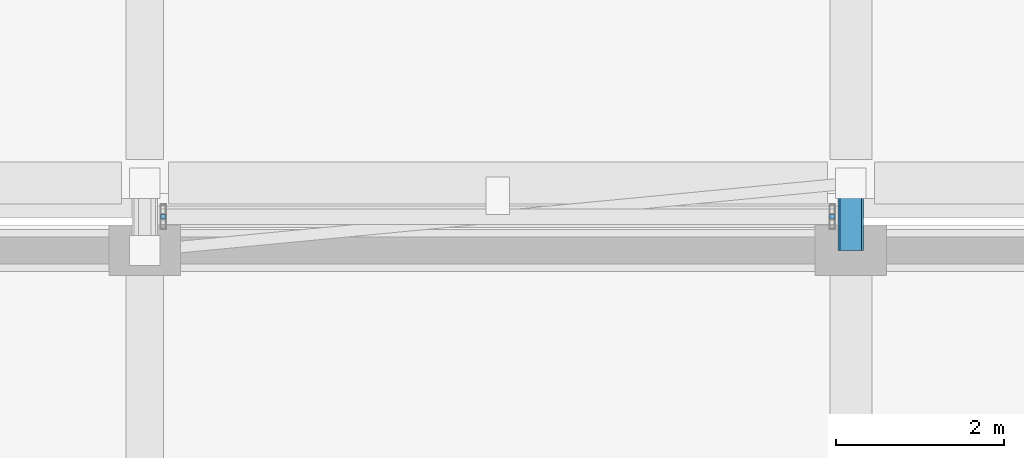
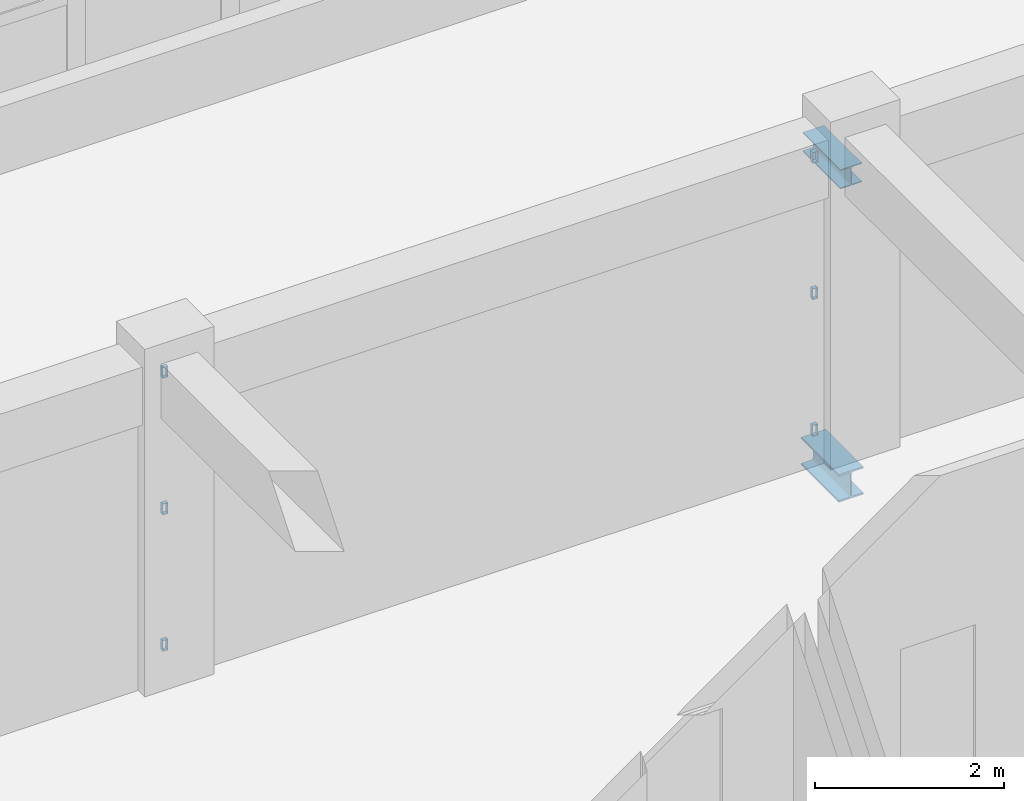
# One storey, part 73 of 129: 6 members, 2 beams, 2 elements without a shape of their own.
"""IFC4 building model written with IfcOpenShell, lengths in metres."""

from ifc_helpers import new_model, si_unit, direction, frame, origin, origin_2d, place, context, subcontext, project, spatial, hollow_rectangle, i_section, extrude, material, layer, layer_set, material_profile, profile_set, type_object, element, aggregate, save


model = new_model("IFC4")

# Units and contexts
model_context = context("Model", 3, precision=1e-05, world=origin(), true_north=direction((0.0, 1.0)))
body_context = subcontext(model_context, "Body", "Model", "MODEL_VIEW")
ifc_project = project(units=[si_unit("LENGTHUNIT", "METRE"), si_unit("AREAUNIT", "SQUARE_METRE"), si_unit("VOLUMEUNIT", "CUBIC_METRE"), si_unit("PLANEANGLEUNIT", "RADIAN"), si_unit("MASSUNIT", "GRAM", prefix="KILO")], contexts=[model_context])

# Site, building, storey
site_placement = place(None, origin())
site = spatial("IfcSite", under=ifc_project, at=site_placement, CompositionType="ELEMENT")
building_placement = place(site_placement, origin())
building = spatial("IfcBuilding", under=site, at=building_placement, Name="Xazarin Passage Department Store", CompositionType="ELEMENT")
storey_placement = place(building_placement, frame((0.0, 0.0, 9.89990234375)))
storey = spatial("IfcBuildingStorey", under=building, at=storey_placement, Name="L02", CompositionType="ELEMENT", Elevation=9.89990234375)

# Curtain wall, members
ifc_material_1 = material(Name="Bronze anodised aluminium", Category="aluminium")
ifc_layer = layer(ifc_material_1, 0.14990234375)
ifc_layer_set = layer_set([ifc_layer], Name="Bronze anodised aluminium")
curtain_wall_type = type_object("IfcCurtainWallType", Name="ARC-CW-BRG1", PredefinedType="NOTDEFINED", material=ifc_layer_set)
curtain_wall_1_placement = place(storey_placement, origin())
curtain_wall_1 = element("IfcCurtainWall", 1, at=curtain_wall_1_placement, inside=storey, type_object=curtain_wall_type, Name="L02 BR-V1-V3 Bridge Curtain Wall 1", PredefinedType="NOTDEFINED")
ifc_material_profile_1 = material_profile(ifc_material_1, hollow_rectangle(XDim=0.06494140625, YDim=0.139892578125, WallThickness=0.00390625, at=origin_2d()), Name="ALU 65x140")
ifc_profile_set_1 = profile_set([ifc_material_profile_1], Name="Bronze anodised aluminium")
member_type = type_object("IfcMemberType", Name="ARC-CWT-65x140", PredefinedType="USERDEFINED", material=ifc_profile_set_1)
member_1_placement = place(storey_placement, frame((25.419921875, 50.77490234375, 0.03271484375), z_axis=(0.0, 1.0, 0.0), x_axis=(-1.0, 0.0, 0.0)))
member_1 = element("IfcMember", 2, at=member_1_placement, type_object=member_type, Name="CW7 transom 1.1", ObjectType="TRANSOM", PredefinedType="USERDEFINED", context=body_context, shape_type="SweptSolid", body=[
    extrude(hollow_rectangle(XDim=0.06494140625, YDim=0.139892578125, WallThickness=0.00390625, at=origin_2d()), origin(), (0.0, 0.0, 1.0), 0.050048828125),
])
member_2_placement = place(storey_placement, frame((25.419921875, 50.77490234375, 1.800048828125), z_axis=(0.0, 1.0, 0.0), x_axis=(-1.0, 0.0, 0.0)))
member_2 = element("IfcMember", 3, at=member_2_placement, type_object=member_type, Name="CW7 transom 1.2", ObjectType="TRANSOM", PredefinedType="USERDEFINED", context=body_context, shape_type="SweptSolid", body=[
    extrude(hollow_rectangle(XDim=0.06494140625, YDim=0.139892578125, WallThickness=0.00390625, at=origin_2d()), origin(), (0.0, 0.0, 1.0), 0.050048828125),
])
member_3_placement = place(storey_placement, frame((25.419921875, 50.77490234375, 3.567626953125), z_axis=(0.0, 1.0, 0.0), x_axis=(-1.0, 0.0, 0.0)))
member_3 = element("IfcMember", 4, at=member_3_placement, type_object=member_type, Name="CW7 transom 1.3", ObjectType="TRANSOM", PredefinedType="USERDEFINED", context=body_context, shape_type="SweptSolid", body=[
    extrude(hollow_rectangle(XDim=0.06494140625, YDim=0.139892578125, WallThickness=0.00390625, at=origin_2d()), origin(), (0.0, 0.0, 1.0), 0.050048828125),
])
aggregate(curtain_wall_1, [member_1, member_2, member_3])

curtain_wall_2_placement = place(storey_placement, origin())
curtain_wall_2 = element("IfcCurtainWall", 5, at=curtain_wall_2_placement, inside=storey, type_object=curtain_wall_type, Name="L02 BR-V1-V3 Bridge Curtain Wall 2", PredefinedType="NOTDEFINED")
member_4_placement = place(storey_placement, frame((33.3798828125, 50.77490234375, 0.03271484375), z_axis=(0.0, 1.0, 0.0), x_axis=(-1.0, 0.0, 0.0)))
member_4 = element("IfcMember", 6, at=member_4_placement, type_object=member_type, Name="CW7 transom 1.1", ObjectType="TRANSOM", PredefinedType="USERDEFINED", context=body_context, shape_type="SweptSolid", body=[
    extrude(hollow_rectangle(XDim=0.06494140625, YDim=0.139892578125, WallThickness=0.00390625, at=origin_2d()), origin(), (0.0, 0.0, 1.0), 0.050048828125),
])
member_5_placement = place(storey_placement, frame((33.3798828125, 50.77490234375, 1.800048828125), z_axis=(0.0, 1.0, 0.0), x_axis=(-1.0, 0.0, 0.0)))
member_5 = element("IfcMember", 7, at=member_5_placement, type_object=member_type, Name="CW7 transom 1.2", ObjectType="TRANSOM", PredefinedType="USERDEFINED", context=body_context, shape_type="SweptSolid", body=[
    extrude(hollow_rectangle(XDim=0.06494140625, YDim=0.139892578125, WallThickness=0.00390625, at=origin_2d()), origin(), (0.0, 0.0, 1.0), 0.050048828125),
])
member_6_placement = place(storey_placement, frame((33.3798828125, 50.77490234375, 3.567626953125), z_axis=(0.0, 1.0, 0.0), x_axis=(-1.0, 0.0, 0.0)))
member_6 = element("IfcMember", 8, at=member_6_placement, type_object=member_type, Name="CW7 transom 1.3", ObjectType="TRANSOM", PredefinedType="USERDEFINED", context=body_context, shape_type="SweptSolid", body=[
    extrude(hollow_rectangle(XDim=0.06494140625, YDim=0.139892578125, WallThickness=0.00390625, at=origin_2d()), origin(), (0.0, 0.0, 1.0), 0.050048828125),
])
aggregate(curtain_wall_2, [member_4, member_5, member_6])

# Beams
ifc_material_2 = material(Name="Steel S355", Category="steel")
ifc_material_profile_2 = material_profile(ifc_material_2, i_section(OverallWidth=0.300048828125, OverallDepth=0.360107421875, WebThickness=0.012451171875, FlangeThickness=0.0224609375, FilletRadius=0.027099609375, at=origin_2d()), Name="HEB 360")
ifc_profile_set_2 = profile_set([ifc_material_profile_2], Name="Steel S355")
beam_type_1 = type_object("IfcBeamType", Name="STR-BM-BR360", PredefinedType="BEAM", material=ifc_profile_set_2)
beam_1_placement = place(storey_placement, frame((33.60009765625, 50.39990234375, -0.52001953125), z_axis=(0.0, 1.0, 0.0), x_axis=(-1.0, 0.0, 0.0)))
element("IfcBeam", 9, at=beam_1_placement, inside=storey, type_object=beam_type_1, Name="L02 BR-V1-V3 Bridge Girder B", PredefinedType="BEAM", context=body_context, shape_type="SweptSolid", body=[
    extrude(i_section(OverallWidth=0.300048828125, OverallDepth=0.360107421875, WebThickness=0.012451171875, FlangeThickness=0.0224609375, FilletRadius=0.027099609375, at=origin_2d()), origin(), (0.0, 0.0, 1.0), 0.800048828125),
])
ifc_material_profile_3 = material_profile(ifc_material_2, i_section(OverallWidth=0.260009765625, OverallDepth=0.25, WebThickness=0.007568359375, FlangeThickness=0.012451171875, FilletRadius=0.02392578125, at=origin_2d()), Name="HEA 260")
ifc_profile_set_3 = profile_set([ifc_material_profile_3], Name="Steel S355")
beam_type_2 = type_object("IfcBeamType", Name="STR-BM-CAN260", PredefinedType="BEAM", material=ifc_profile_set_3)
beam_2_placement = place(storey_placement, frame((33.60009765625, 50.39990234375, 3.47509765625), z_axis=(0.0, 1.0, 0.0), x_axis=(-1.0, 0.0, 0.0)))
element("IfcBeam", 10, at=beam_2_placement, inside=storey, type_object=beam_type_2, Name="L02 BR-V1-V3 Bridge Roof Beam B", PredefinedType="BEAM", context=body_context, shape_type="SweptSolid", body=[
    extrude(i_section(OverallWidth=0.260009765625, OverallDepth=0.25, WebThickness=0.007568359375, FlangeThickness=0.012451171875, FilletRadius=0.02392578125, at=origin_2d()), origin(), (0.0, 0.0, 1.0), 0.800048828125),
])

save(model, "model.ifc")
